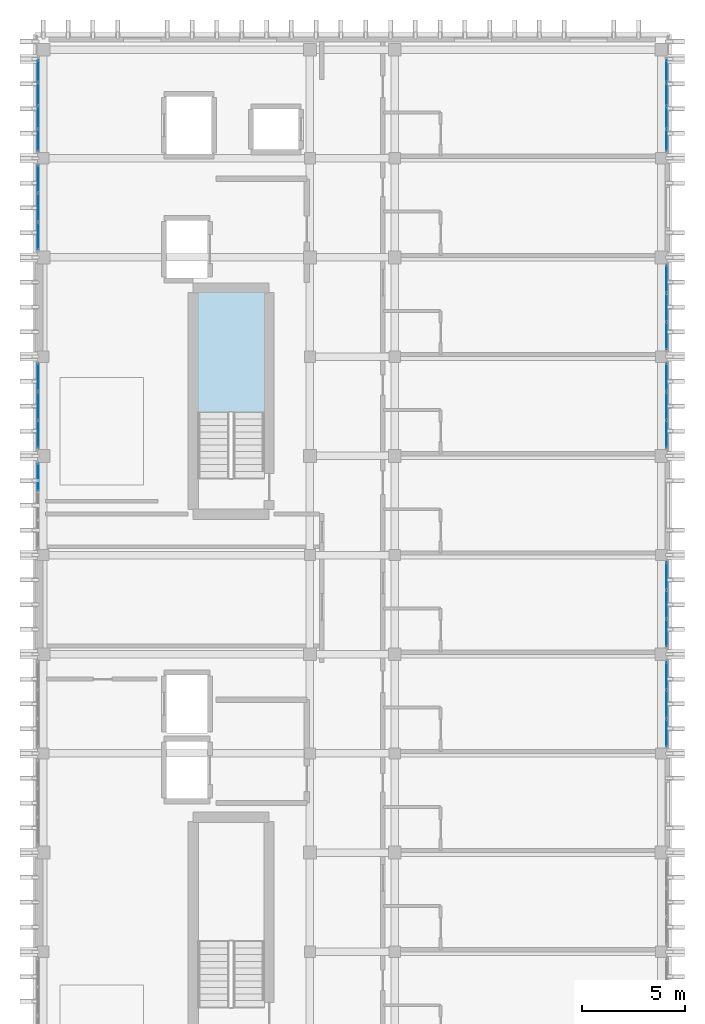
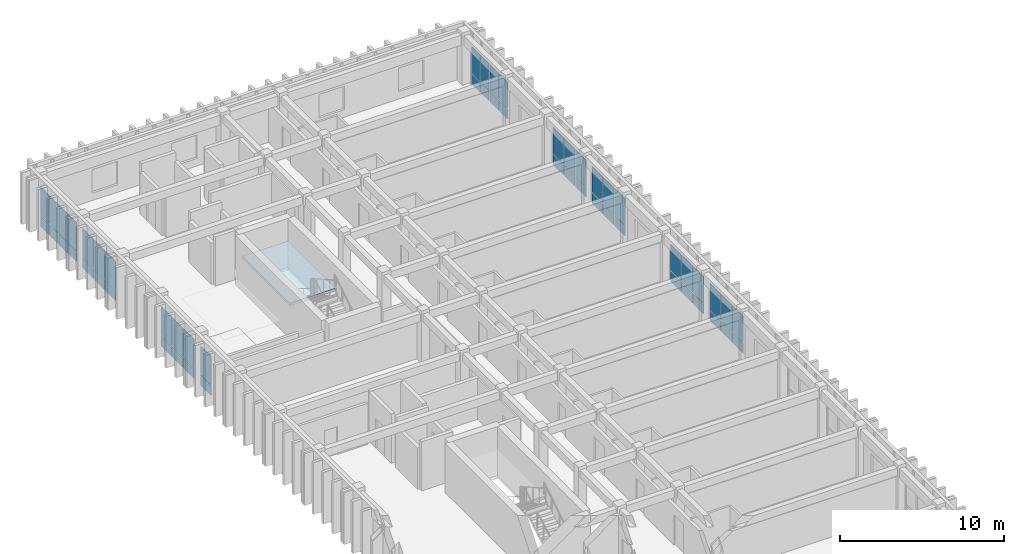
# One storey, part 40 of 50: 54 plates, 1 slab, 10 elements without a shape of their own.
"""IFC4 building model written with IfcOpenShell, lengths in metres."""

from ifc_helpers import new_model, si_unit, direction, frame, origin, origin_2d, place, context, subcontext, project, spatial, polyline, rectangle, outline, extrude, material, layer, layer_set, type_object, element, aggregate, save


model = new_model("IFC4")

# Units and contexts
model_context = context("Model", 3, precision=1e-05, world=origin(), true_north=direction((0.0, 1.0)))
body_context = subcontext(model_context, "Body", "Model", "MODEL_VIEW")
ifc_project = project(units=[si_unit("LENGTHUNIT", "METRE"), si_unit("AREAUNIT", "SQUARE_METRE"), si_unit("VOLUMEUNIT", "CUBIC_METRE"), si_unit("PLANEANGLEUNIT", "RADIAN"), si_unit("MASSUNIT", "GRAM", prefix="KILO")], contexts=[model_context])

# Site, building, storey
site_placement = place(None, origin())
site = spatial("IfcSite", under=ifc_project, at=site_placement, CompositionType="ELEMENT")
building_placement = place(site_placement, origin())
building = spatial("IfcBuilding", under=site, at=building_placement, Name="Nakhvara Creek Congress Hotel", CompositionType="ELEMENT")
storey_placement = place(building_placement, frame((0.0, 0.0, 42.60009765625)))
storey = spatial("IfcBuildingStorey", under=building, at=storey_placement, Name="L10", CompositionType="ELEMENT", Elevation=42.60009765625)

# Curtain wall, plates
ifc_material_1 = material(Name="Bronze-anodised aluminium AW-6063-T6 and double-silver low-E glass", Category="aluminium")
ifc_layer_1 = layer(ifc_material_1, 0.199951171875)
ifc_layer_set_1 = layer_set([ifc_layer_1], Name="Bronze-anodised aluminium AW-6063-T6 and double-silver low-E glass")
curtain_wall_type = type_object("IfcCurtainWallType", Name="CW-HTL-UNIT", PredefinedType="USERDEFINED", material=ifc_layer_set_1)
curtain_wall_1_placement = place(storey_placement, origin())
curtain_wall_1 = element("IfcCurtainWall", 1, at=curtain_wall_1_placement, inside=storey, type_object=curtain_wall_type, Name="Curtain Wall CW322", ObjectType="UNITISED", PredefinedType="USERDEFINED")
ifc_material_2 = material(Name="Double-silver solar-control low-E insulated glass", Category="glass")
plate_type_1 = type_object("IfcPlateType", Name="PNL-GLZ-120X250", PredefinedType="CURTAIN_PANEL", material=ifc_material_2)
plate_1_placement = place(storey_placement, frame((179.60009765625, 94.961181640625, 0.06494140625), z_axis=(0.0, 0.0, 1.0), x_axis=(0.0, -1.0, 0.0)))
plate_1 = element("IfcPlate", 2, at=plate_1_placement, type_object=plate_type_1, Name="CW322 panel 1.1", PredefinedType="CURTAIN_PANEL", context=body_context, shape_type="SweptSolid", body=[
    extrude(rectangle(XDim=1.297607421875, YDim=0.028076171875, at=origin_2d()), origin(), (0.0, 0.0, 1.0), 0.75244140625),
])
plate_2_placement = place(storey_placement, frame((179.60009765625, 94.961181640625, 0.88232421875), z_axis=(0.0, 0.0, 1.0), x_axis=(0.0, -1.0, 0.0)))
plate_2 = element("IfcPlate", 3, at=plate_2_placement, type_object=plate_type_1, Name="CW322 panel 1.2", PredefinedType="CURTAIN_PANEL", context=body_context, shape_type="SweptSolid", body=[
    extrude(rectangle(XDim=1.297607421875, YDim=0.028076171875, at=origin_2d()), origin(), (0.0, 0.0, 1.0), 1.95458984375),
])
plate_3_placement = place(storey_placement, frame((179.60009765625, 93.58251953125, 0.06494140625), z_axis=(0.0, 0.0, 1.0), x_axis=(0.0, -1.0, 0.0)))
plate_3 = element("IfcPlate", 4, at=plate_3_placement, type_object=plate_type_1, Name="CW322 panel 2.1", PredefinedType="CURTAIN_PANEL", context=body_context, shape_type="SweptSolid", body=[
    extrude(rectangle(XDim=1.330078125, YDim=0.028076171875, at=origin_2d()), origin(), (0.0, 0.0, 1.0), 0.75244140625),
])
plate_4_placement = place(storey_placement, frame((179.60009765625, 93.58251953125, 0.88232421875), z_axis=(0.0, 0.0, 1.0), x_axis=(0.0, -1.0, 0.0)))
plate_4 = element("IfcPlate", 5, at=plate_4_placement, type_object=plate_type_1, Name="CW322 panel 2.2", PredefinedType="CURTAIN_PANEL", context=body_context, shape_type="SweptSolid", body=[
    extrude(rectangle(XDim=1.330078125, YDim=0.028076171875, at=origin_2d()), origin(), (0.0, 0.0, 1.0), 1.95458984375),
])
plate_5_placement = place(storey_placement, frame((179.60009765625, 92.203857421875, 0.06494140625), z_axis=(0.0, 0.0, 1.0), x_axis=(0.0, -1.0, 0.0)))
plate_5 = element("IfcPlate", 6, at=plate_5_placement, type_object=plate_type_1, Name="CW322 panel 3.1", PredefinedType="CURTAIN_PANEL", context=body_context, shape_type="SweptSolid", body=[
    extrude(rectangle(XDim=1.297607421875, YDim=0.028076171875, at=origin_2d()), origin(), (0.0, 0.0, 1.0), 0.75244140625),
])
plate_6_placement = place(storey_placement, frame((179.60009765625, 92.203857421875, 0.88232421875), z_axis=(0.0, 0.0, 1.0), x_axis=(0.0, -1.0, 0.0)))
plate_6 = element("IfcPlate", 7, at=plate_6_placement, type_object=plate_type_1, Name="CW322 panel 3.2", PredefinedType="CURTAIN_PANEL", context=body_context, shape_type="SweptSolid", body=[
    extrude(rectangle(XDim=1.297607421875, YDim=0.028076171875, at=origin_2d()), origin(), (0.0, 0.0, 1.0), 1.95458984375),
])
aggregate(curtain_wall_1, [plate_1, plate_2, plate_3, plate_4, plate_5, plate_6])

curtain_wall_2_placement = place(storey_placement, origin())
curtain_wall_2 = element("IfcCurtainWall", 8, at=curtain_wall_2_placement, inside=storey, type_object=curtain_wall_type, Name="Curtain Wall CW324", ObjectType="UNITISED", PredefinedType="USERDEFINED")
plate_7_placement = place(storey_placement, frame((179.60009765625, 99.796142578125, 0.06494140625), z_axis=(0.0, 0.0, 1.0), x_axis=(0.0, -1.0, 0.0)))
plate_7 = element("IfcPlate", 9, at=plate_7_placement, type_object=plate_type_1, Name="CW324 panel 1.1", PredefinedType="CURTAIN_PANEL", context=body_context, shape_type="SweptSolid", body=[
    extrude(rectangle(XDim=1.297607421875, YDim=0.028076171875, at=origin_2d()), origin(), (0.0, 0.0, 1.0), 0.75244140625),
])
plate_8_placement = place(storey_placement, frame((179.60009765625, 99.796142578125, 0.88232421875), z_axis=(0.0, 0.0, 1.0), x_axis=(0.0, -1.0, 0.0)))
plate_8 = element("IfcPlate", 10, at=plate_8_placement, type_object=plate_type_1, Name="CW324 panel 1.2", PredefinedType="CURTAIN_PANEL", context=body_context, shape_type="SweptSolid", body=[
    extrude(rectangle(XDim=1.297607421875, YDim=0.028076171875, at=origin_2d()), origin(), (0.0, 0.0, 1.0), 1.95458984375),
])
plate_9_placement = place(storey_placement, frame((179.60009765625, 98.41748046875, 0.06494140625), z_axis=(0.0, 0.0, 1.0), x_axis=(0.0, -1.0, 0.0)))
plate_9 = element("IfcPlate", 11, at=plate_9_placement, type_object=plate_type_1, Name="CW324 panel 2.1", PredefinedType="CURTAIN_PANEL", context=body_context, shape_type="SweptSolid", body=[
    extrude(rectangle(XDim=1.330078125, YDim=0.028076171875, at=origin_2d()), origin(), (0.0, 0.0, 1.0), 0.75244140625),
])
plate_10_placement = place(storey_placement, frame((179.60009765625, 98.41748046875, 0.88232421875), z_axis=(0.0, 0.0, 1.0), x_axis=(0.0, -1.0, 0.0)))
plate_10 = element("IfcPlate", 12, at=plate_10_placement, type_object=plate_type_1, Name="CW324 panel 2.2", PredefinedType="CURTAIN_PANEL", context=body_context, shape_type="SweptSolid", body=[
    extrude(rectangle(XDim=1.330078125, YDim=0.028076171875, at=origin_2d()), origin(), (0.0, 0.0, 1.0), 1.95458984375),
])
plate_11_placement = place(storey_placement, frame((179.60009765625, 97.038818359375, 0.06494140625), z_axis=(0.0, 0.0, 1.0), x_axis=(0.0, -1.0, 0.0)))
plate_11 = element("IfcPlate", 13, at=plate_11_placement, type_object=plate_type_1, Name="CW324 panel 3.1", PredefinedType="CURTAIN_PANEL", context=body_context, shape_type="SweptSolid", body=[
    extrude(rectangle(XDim=1.297607421875, YDim=0.028076171875, at=origin_2d()), origin(), (0.0, 0.0, 1.0), 0.75244140625),
])
plate_12_placement = place(storey_placement, frame((179.60009765625, 97.038818359375, 0.88232421875), z_axis=(0.0, 0.0, 1.0), x_axis=(0.0, -1.0, 0.0)))
plate_12 = element("IfcPlate", 14, at=plate_12_placement, type_object=plate_type_1, Name="CW324 panel 3.2", PredefinedType="CURTAIN_PANEL", context=body_context, shape_type="SweptSolid", body=[
    extrude(rectangle(XDim=1.297607421875, YDim=0.028076171875, at=origin_2d()), origin(), (0.0, 0.0, 1.0), 1.95458984375),
])
aggregate(curtain_wall_2, [plate_7, plate_8, plate_9, plate_10, plate_11, plate_12])

curtain_wall_3_placement = place(storey_placement, origin())
curtain_wall_3 = element("IfcCurtainWall", 15, at=curtain_wall_3_placement, inside=storey, type_object=curtain_wall_type, Name="Curtain Wall CW326", ObjectType="UNITISED", PredefinedType="USERDEFINED")
plate_13_placement = place(storey_placement, frame((179.60009765625, 109.396240234375, 0.06494140625), z_axis=(0.0, 0.0, 1.0), x_axis=(0.0, -1.0, 0.0)))
plate_13 = element("IfcPlate", 16, at=plate_13_placement, type_object=plate_type_1, Name="CW326 panel 1.1", PredefinedType="CURTAIN_PANEL", context=body_context, shape_type="SweptSolid", body=[
    extrude(rectangle(XDim=1.297607421875, YDim=0.028076171875, at=origin_2d()), origin(), (0.0, 0.0, 1.0), 0.75244140625),
])
plate_14_placement = place(storey_placement, frame((179.60009765625, 109.396240234375, 0.88232421875), z_axis=(0.0, 0.0, 1.0), x_axis=(0.0, -1.0, 0.0)))
plate_14 = element("IfcPlate", 17, at=plate_14_placement, type_object=plate_type_1, Name="CW326 panel 1.2", PredefinedType="CURTAIN_PANEL", context=body_context, shape_type="SweptSolid", body=[
    extrude(rectangle(XDim=1.297607421875, YDim=0.028076171875, at=origin_2d()), origin(), (0.0, 0.0, 1.0), 1.95458984375),
])
plate_15_placement = place(storey_placement, frame((179.60009765625, 108.017578125, 0.06494140625), z_axis=(0.0, 0.0, 1.0), x_axis=(0.0, -1.0, 0.0)))
plate_15 = element("IfcPlate", 18, at=plate_15_placement, type_object=plate_type_1, Name="CW326 panel 2.1", PredefinedType="CURTAIN_PANEL", context=body_context, shape_type="SweptSolid", body=[
    extrude(rectangle(XDim=1.330078125, YDim=0.028076171875, at=origin_2d()), origin(), (0.0, 0.0, 1.0), 0.75244140625),
])
plate_16_placement = place(storey_placement, frame((179.60009765625, 108.017578125, 0.88232421875), z_axis=(0.0, 0.0, 1.0), x_axis=(0.0, -1.0, 0.0)))
plate_16 = element("IfcPlate", 19, at=plate_16_placement, type_object=plate_type_1, Name="CW326 panel 2.2", PredefinedType="CURTAIN_PANEL", context=body_context, shape_type="SweptSolid", body=[
    extrude(rectangle(XDim=1.330078125, YDim=0.028076171875, at=origin_2d()), origin(), (0.0, 0.0, 1.0), 1.95458984375),
])
plate_17_placement = place(storey_placement, frame((179.60009765625, 106.638671875, 0.06494140625), z_axis=(0.0, 0.0, 1.0), x_axis=(0.0, -1.0, 0.0)))
plate_17 = element("IfcPlate", 20, at=plate_17_placement, type_object=plate_type_1, Name="CW326 panel 3.1", PredefinedType="CURTAIN_PANEL", context=body_context, shape_type="SweptSolid", body=[
    extrude(rectangle(XDim=1.297607421875, YDim=0.028076171875, at=origin_2d()), origin(), (0.0, 0.0, 1.0), 0.75244140625),
])
plate_18_placement = place(storey_placement, frame((179.60009765625, 106.638671875, 0.88232421875), z_axis=(0.0, 0.0, 1.0), x_axis=(0.0, -1.0, 0.0)))
plate_18 = element("IfcPlate", 21, at=plate_18_placement, type_object=plate_type_1, Name="CW326 panel 3.2", PredefinedType="CURTAIN_PANEL", context=body_context, shape_type="SweptSolid", body=[
    extrude(rectangle(XDim=1.297607421875, YDim=0.028076171875, at=origin_2d()), origin(), (0.0, 0.0, 1.0), 1.95458984375),
])
aggregate(curtain_wall_3, [plate_13, plate_14, plate_15, plate_16, plate_17, plate_18])

curtain_wall_4_placement = place(storey_placement, origin())
curtain_wall_4 = element("IfcCurtainWall", 22, at=curtain_wall_4_placement, inside=storey, type_object=curtain_wall_type, Name="Curtain Wall CW327", ObjectType="UNITISED", PredefinedType="USERDEFINED")
plate_19_placement = place(storey_placement, frame((149.199951171875, 106.638671875, 0.06494140625), z_axis=(0.0, 0.0, 1.0), x_axis=(0.0, 1.0, 0.0)))
plate_19 = element("IfcPlate", 23, at=plate_19_placement, type_object=plate_type_1, Name="CW327 panel 1.1", PredefinedType="CURTAIN_PANEL", context=body_context, shape_type="SweptSolid", body=[
    extrude(rectangle(XDim=1.297607421875, YDim=0.028076171875, at=origin_2d()), origin(), (0.0, 0.0, 1.0), 0.75244140625),
])
plate_20_placement = place(storey_placement, frame((149.199951171875, 106.638671875, 0.88232421875), z_axis=(0.0, 0.0, 1.0), x_axis=(0.0, 1.0, 0.0)))
plate_20 = element("IfcPlate", 24, at=plate_20_placement, type_object=plate_type_1, Name="CW327 panel 1.2", PredefinedType="CURTAIN_PANEL", context=body_context, shape_type="SweptSolid", body=[
    extrude(rectangle(XDim=1.297607421875, YDim=0.028076171875, at=origin_2d()), origin(), (0.0, 0.0, 1.0), 2.12451171875),
])
plate_21_placement = place(storey_placement, frame((149.199951171875, 108.017578125, 0.06494140625), z_axis=(0.0, 0.0, 1.0), x_axis=(0.0, 1.0, 0.0)))
plate_21 = element("IfcPlate", 25, at=plate_21_placement, type_object=plate_type_1, Name="CW327 panel 2.1", PredefinedType="CURTAIN_PANEL", context=body_context, shape_type="SweptSolid", body=[
    extrude(rectangle(XDim=1.330078125, YDim=0.028076171875, at=origin_2d()), origin(), (0.0, 0.0, 1.0), 0.75244140625),
])
plate_22_placement = place(storey_placement, frame((149.199951171875, 108.017578125, 0.88232421875), z_axis=(0.0, 0.0, 1.0), x_axis=(0.0, 1.0, 0.0)))
plate_22 = element("IfcPlate", 26, at=plate_22_placement, type_object=plate_type_1, Name="CW327 panel 2.2", PredefinedType="CURTAIN_PANEL", context=body_context, shape_type="SweptSolid", body=[
    extrude(rectangle(XDim=1.330078125, YDim=0.028076171875, at=origin_2d()), origin(), (0.0, 0.0, 1.0), 2.12451171875),
])
plate_23_placement = place(storey_placement, frame((149.199951171875, 109.396240234375, 0.06494140625), z_axis=(0.0, 0.0, 1.0), x_axis=(0.0, 1.0, 0.0)))
plate_23 = element("IfcPlate", 27, at=plate_23_placement, type_object=plate_type_1, Name="CW327 panel 3.1", PredefinedType="CURTAIN_PANEL", context=body_context, shape_type="SweptSolid", body=[
    extrude(rectangle(XDim=1.297607421875, YDim=0.028076171875, at=origin_2d()), origin(), (0.0, 0.0, 1.0), 0.75244140625),
])
plate_24_placement = place(storey_placement, frame((149.199951171875, 109.396240234375, 0.88232421875), z_axis=(0.0, 0.0, 1.0), x_axis=(0.0, 1.0, 0.0)))
plate_24 = element("IfcPlate", 28, at=plate_24_placement, type_object=plate_type_1, Name="CW327 panel 3.2", PredefinedType="CURTAIN_PANEL", context=body_context, shape_type="SweptSolid", body=[
    extrude(rectangle(XDim=1.297607421875, YDim=0.028076171875, at=origin_2d()), origin(), (0.0, 0.0, 1.0), 2.12451171875),
])
aggregate(curtain_wall_4, [plate_19, plate_20, plate_21, plate_22, plate_23, plate_24])

curtain_wall_5_placement = place(storey_placement, origin())
curtain_wall_5 = element("IfcCurtainWall", 29, at=curtain_wall_5_placement, inside=storey, type_object=curtain_wall_type, Name="Curtain Wall CW328", ObjectType="UNITISED", PredefinedType="USERDEFINED")
plate_25_placement = place(storey_placement, frame((179.60009765625, 114.1611328125, 0.06494140625), z_axis=(0.0, 0.0, 1.0), x_axis=(0.0, -1.0, 0.0)))
plate_25 = element("IfcPlate", 30, at=plate_25_placement, type_object=plate_type_1, Name="CW328 panel 1.1", PredefinedType="CURTAIN_PANEL", context=body_context, shape_type="SweptSolid", body=[
    extrude(rectangle(XDim=1.297607421875, YDim=0.028076171875, at=origin_2d()), origin(), (0.0, 0.0, 1.0), 0.75244140625),
])
plate_26_placement = place(storey_placement, frame((179.60009765625, 114.1611328125, 0.88232421875), z_axis=(0.0, 0.0, 1.0), x_axis=(0.0, -1.0, 0.0)))
plate_26 = element("IfcPlate", 31, at=plate_26_placement, type_object=plate_type_1, Name="CW328 panel 1.2", PredefinedType="CURTAIN_PANEL", context=body_context, shape_type="SweptSolid", body=[
    extrude(rectangle(XDim=1.297607421875, YDim=0.028076171875, at=origin_2d()), origin(), (0.0, 0.0, 1.0), 1.95458984375),
])
plate_27_placement = place(storey_placement, frame((179.60009765625, 112.782470703125, 0.06494140625), z_axis=(0.0, 0.0, 1.0), x_axis=(0.0, -1.0, 0.0)))
plate_27 = element("IfcPlate", 32, at=plate_27_placement, type_object=plate_type_1, Name="CW328 panel 2.1", PredefinedType="CURTAIN_PANEL", context=body_context, shape_type="SweptSolid", body=[
    extrude(rectangle(XDim=1.330078125, YDim=0.028076171875, at=origin_2d()), origin(), (0.0, 0.0, 1.0), 0.75244140625),
])
plate_28_placement = place(storey_placement, frame((179.60009765625, 112.782470703125, 0.88232421875), z_axis=(0.0, 0.0, 1.0), x_axis=(0.0, -1.0, 0.0)))
plate_28 = element("IfcPlate", 33, at=plate_28_placement, type_object=plate_type_1, Name="CW328 panel 2.2", PredefinedType="CURTAIN_PANEL", context=body_context, shape_type="SweptSolid", body=[
    extrude(rectangle(XDim=1.330078125, YDim=0.028076171875, at=origin_2d()), origin(), (0.0, 0.0, 1.0), 1.95458984375),
])
plate_29_placement = place(storey_placement, frame((179.60009765625, 111.40380859375, 0.06494140625), z_axis=(0.0, 0.0, 1.0), x_axis=(0.0, -1.0, 0.0)))
plate_29 = element("IfcPlate", 34, at=plate_29_placement, type_object=plate_type_1, Name="CW328 panel 3.1", PredefinedType="CURTAIN_PANEL", context=body_context, shape_type="SweptSolid", body=[
    extrude(rectangle(XDim=1.297607421875, YDim=0.028076171875, at=origin_2d()), origin(), (0.0, 0.0, 1.0), 0.75244140625),
])
plate_30_placement = place(storey_placement, frame((179.60009765625, 111.40380859375, 0.88232421875), z_axis=(0.0, 0.0, 1.0), x_axis=(0.0, -1.0, 0.0)))
plate_30 = element("IfcPlate", 35, at=plate_30_placement, type_object=plate_type_1, Name="CW328 panel 3.2", PredefinedType="CURTAIN_PANEL", context=body_context, shape_type="SweptSolid", body=[
    extrude(rectangle(XDim=1.297607421875, YDim=0.028076171875, at=origin_2d()), origin(), (0.0, 0.0, 1.0), 1.95458984375),
])
aggregate(curtain_wall_5, [plate_25, plate_26, plate_27, plate_28, plate_29, plate_30])

curtain_wall_6_placement = place(storey_placement, origin())
curtain_wall_6 = element("IfcCurtainWall", 36, at=curtain_wall_6_placement, inside=storey, type_object=curtain_wall_type, Name="Curtain Wall CW329", ObjectType="UNITISED", PredefinedType="USERDEFINED")
plate_31_placement = place(storey_placement, frame((149.199951171875, 116.23876953125, 0.06494140625), z_axis=(0.0, 0.0, 1.0), x_axis=(0.0, 1.0, 0.0)))
plate_31 = element("IfcPlate", 37, at=plate_31_placement, type_object=plate_type_1, Name="CW329 panel 1.1", PredefinedType="CURTAIN_PANEL", context=body_context, shape_type="SweptSolid", body=[
    extrude(rectangle(XDim=1.297607421875, YDim=0.028076171875, at=origin_2d()), origin(), (0.0, 0.0, 1.0), 0.75244140625),
])
plate_32_placement = place(storey_placement, frame((149.199951171875, 116.23876953125, 0.88232421875), z_axis=(0.0, 0.0, 1.0), x_axis=(0.0, 1.0, 0.0)))
plate_32 = element("IfcPlate", 38, at=plate_32_placement, type_object=plate_type_1, Name="CW329 panel 1.2", PredefinedType="CURTAIN_PANEL", context=body_context, shape_type="SweptSolid", body=[
    extrude(rectangle(XDim=1.297607421875, YDim=0.028076171875, at=origin_2d()), origin(), (0.0, 0.0, 1.0), 2.12451171875),
])
plate_33_placement = place(storey_placement, frame((149.199951171875, 117.617431640625, 0.06494140625), z_axis=(0.0, 0.0, 1.0), x_axis=(0.0, 1.0, 0.0)))
plate_33 = element("IfcPlate", 39, at=plate_33_placement, type_object=plate_type_1, Name="CW329 panel 2.1", PredefinedType="CURTAIN_PANEL", context=body_context, shape_type="SweptSolid", body=[
    extrude(rectangle(XDim=1.330078125, YDim=0.028076171875, at=origin_2d()), origin(), (0.0, 0.0, 1.0), 0.75244140625),
])
plate_34_placement = place(storey_placement, frame((149.199951171875, 117.617431640625, 0.88232421875), z_axis=(0.0, 0.0, 1.0), x_axis=(0.0, 1.0, 0.0)))
plate_34 = element("IfcPlate", 40, at=plate_34_placement, type_object=plate_type_1, Name="CW329 panel 2.2", PredefinedType="CURTAIN_PANEL", context=body_context, shape_type="SweptSolid", body=[
    extrude(rectangle(XDim=1.330078125, YDim=0.028076171875, at=origin_2d()), origin(), (0.0, 0.0, 1.0), 2.12451171875),
])
plate_35_placement = place(storey_placement, frame((149.199951171875, 118.996337890625, 0.06494140625), z_axis=(0.0, 0.0, 1.0), x_axis=(0.0, 1.0, 0.0)))
plate_35 = element("IfcPlate", 41, at=plate_35_placement, type_object=plate_type_1, Name="CW329 panel 3.1", PredefinedType="CURTAIN_PANEL", context=body_context, shape_type="SweptSolid", body=[
    extrude(rectangle(XDim=1.297607421875, YDim=0.028076171875, at=origin_2d()), origin(), (0.0, 0.0, 1.0), 0.75244140625),
])
plate_36_placement = place(storey_placement, frame((149.199951171875, 118.996337890625, 0.88232421875), z_axis=(0.0, 0.0, 1.0), x_axis=(0.0, 1.0, 0.0)))
plate_36 = element("IfcPlate", 42, at=plate_36_placement, type_object=plate_type_1, Name="CW329 panel 3.2", PredefinedType="CURTAIN_PANEL", context=body_context, shape_type="SweptSolid", body=[
    extrude(rectangle(XDim=1.297607421875, YDim=0.028076171875, at=origin_2d()), origin(), (0.0, 0.0, 1.0), 2.12451171875),
])
aggregate(curtain_wall_6, [plate_31, plate_32, plate_33, plate_34, plate_35, plate_36])

curtain_wall_7_placement = place(storey_placement, origin())
curtain_wall_7 = element("IfcCurtainWall", 43, at=curtain_wall_7_placement, inside=storey, type_object=curtain_wall_type, Name="Curtain Wall CW330", ObjectType="UNITISED", PredefinedType="USERDEFINED")
plate_37_placement = place(storey_placement, frame((179.60009765625, 124.219970703125, 0.06494140625), z_axis=(0.0, 0.0, 1.0), x_axis=(0.0, -1.0, 0.0)))
plate_37 = element("IfcPlate", 44, at=plate_37_placement, type_object=plate_type_1, Name="CW330 panel 1.1", PredefinedType="CURTAIN_PANEL", context=body_context, shape_type="SweptSolid", body=[
    extrude(rectangle(XDim=1.030029296875, YDim=0.028076171875, at=origin_2d()), origin(), (0.0, 0.0, 1.0), 0.75244140625),
])
plate_38_placement = place(storey_placement, frame((179.60009765625, 124.219970703125, 0.88232421875), z_axis=(0.0, 0.0, 1.0), x_axis=(0.0, -1.0, 0.0)))
plate_38 = element("IfcPlate", 45, at=plate_38_placement, type_object=plate_type_1, Name="CW330 panel 1.2", PredefinedType="CURTAIN_PANEL", context=body_context, shape_type="SweptSolid", body=[
    extrude(rectangle(XDim=1.030029296875, YDim=0.028076171875, at=origin_2d()), origin(), (0.0, 0.0, 1.0), 1.95458984375),
])
plate_39_placement = place(storey_placement, frame((179.60009765625, 123.108642578125, 0.06494140625), z_axis=(0.0, 0.0, 1.0), x_axis=(0.0, -1.0, 0.0)))
plate_39 = element("IfcPlate", 46, at=plate_39_placement, type_object=plate_type_1, Name="CW330 panel 2.1", PredefinedType="CURTAIN_PANEL", context=body_context, shape_type="SweptSolid", body=[
    extrude(rectangle(XDim=1.0625, YDim=0.028076171875, at=origin_2d()), origin(), (0.0, 0.0, 1.0), 0.75244140625),
])
plate_40_placement = place(storey_placement, frame((179.60009765625, 123.108642578125, 0.88232421875), z_axis=(0.0, 0.0, 1.0), x_axis=(0.0, -1.0, 0.0)))
plate_40 = element("IfcPlate", 47, at=plate_40_placement, type_object=plate_type_1, Name="CW330 panel 2.2", PredefinedType="CURTAIN_PANEL", context=body_context, shape_type="SweptSolid", body=[
    extrude(rectangle(XDim=1.0625, YDim=0.028076171875, at=origin_2d()), origin(), (0.0, 0.0, 1.0), 1.95458984375),
])
plate_41_placement = place(storey_placement, frame((179.60009765625, 121.981201171875, 0.06494140625), z_axis=(0.0, 0.0, 1.0), x_axis=(0.0, -1.0, 0.0)))
plate_41 = element("IfcPlate", 48, at=plate_41_placement, type_object=plate_type_1, Name="CW330 panel 3.1", PredefinedType="CURTAIN_PANEL", context=body_context, shape_type="SweptSolid", body=[
    extrude(rectangle(XDim=1.0625, YDim=0.028076171875, at=origin_2d()), origin(), (0.0, 0.0, 1.0), 0.75244140625),
])
plate_42_placement = place(storey_placement, frame((179.60009765625, 121.981201171875, 0.88232421875), z_axis=(0.0, 0.0, 1.0), x_axis=(0.0, -1.0, 0.0)))
plate_42 = element("IfcPlate", 49, at=plate_42_placement, type_object=plate_type_1, Name="CW330 panel 3.2", PredefinedType="CURTAIN_PANEL", context=body_context, shape_type="SweptSolid", body=[
    extrude(rectangle(XDim=1.0625, YDim=0.028076171875, at=origin_2d()), origin(), (0.0, 0.0, 1.0), 1.95458984375),
])
plate_43_placement = place(storey_placement, frame((179.60009765625, 120.8701171875, 0.06494140625), z_axis=(0.0, 0.0, 1.0), x_axis=(0.0, -1.0, 0.0)))
plate_43 = element("IfcPlate", 50, at=plate_43_placement, type_object=plate_type_1, Name="CW330 panel 4.1", PredefinedType="CURTAIN_PANEL", context=body_context, shape_type="SweptSolid", body=[
    extrude(rectangle(XDim=1.030029296875, YDim=0.028076171875, at=origin_2d()), origin(), (0.0, 0.0, 1.0), 0.75244140625),
])
plate_44_placement = place(storey_placement, frame((179.60009765625, 120.8701171875, 0.88232421875), z_axis=(0.0, 0.0, 1.0), x_axis=(0.0, -1.0, 0.0)))
plate_44 = element("IfcPlate", 51, at=plate_44_placement, type_object=plate_type_1, Name="CW330 panel 4.2", PredefinedType="CURTAIN_PANEL", context=body_context, shape_type="SweptSolid", body=[
    extrude(rectangle(XDim=1.030029296875, YDim=0.028076171875, at=origin_2d()), origin(), (0.0, 0.0, 1.0), 1.95458984375),
])
aggregate(curtain_wall_7, [plate_37, plate_38, plate_39, plate_40, plate_41, plate_42, plate_43, plate_44])

curtain_wall_8_placement = place(storey_placement, origin())
curtain_wall_8 = element("IfcCurtainWall", 52, at=curtain_wall_8_placement, inside=storey, type_object=curtain_wall_type, Name="Curtain Wall CW331", ObjectType="UNITISED", PredefinedType="USERDEFINED")
plate_45_placement = place(storey_placement, frame((149.199951171875, 120.8701171875, 0.06494140625), z_axis=(0.0, 0.0, 1.0), x_axis=(0.0, 1.0, 0.0)))
plate_45 = element("IfcPlate", 53, at=plate_45_placement, type_object=plate_type_1, Name="CW331 panel 1.1", PredefinedType="CURTAIN_PANEL", context=body_context, shape_type="SweptSolid", body=[
    extrude(rectangle(XDim=1.030029296875, YDim=0.028076171875, at=origin_2d()), origin(), (0.0, 0.0, 1.0), 0.75244140625),
])
plate_46_placement = place(storey_placement, frame((149.199951171875, 120.8701171875, 0.88232421875), z_axis=(0.0, 0.0, 1.0), x_axis=(0.0, 1.0, 0.0)))
plate_46 = element("IfcPlate", 54, at=plate_46_placement, type_object=plate_type_1, Name="CW331 panel 1.2", PredefinedType="CURTAIN_PANEL", context=body_context, shape_type="SweptSolid", body=[
    extrude(rectangle(XDim=1.030029296875, YDim=0.028076171875, at=origin_2d()), origin(), (0.0, 0.0, 1.0), 2.12451171875),
])
plate_47_placement = place(storey_placement, frame((149.199951171875, 121.981201171875, 0.06494140625), z_axis=(0.0, 0.0, 1.0), x_axis=(0.0, 1.0, 0.0)))
plate_47 = element("IfcPlate", 55, at=plate_47_placement, type_object=plate_type_1, Name="CW331 panel 2.1", PredefinedType="CURTAIN_PANEL", context=body_context, shape_type="SweptSolid", body=[
    extrude(rectangle(XDim=1.0625, YDim=0.028076171875, at=origin_2d()), origin(), (0.0, 0.0, 1.0), 0.75244140625),
])
plate_48_placement = place(storey_placement, frame((149.199951171875, 121.981201171875, 0.88232421875), z_axis=(0.0, 0.0, 1.0), x_axis=(0.0, 1.0, 0.0)))
plate_48 = element("IfcPlate", 56, at=plate_48_placement, type_object=plate_type_1, Name="CW331 panel 2.2", PredefinedType="CURTAIN_PANEL", context=body_context, shape_type="SweptSolid", body=[
    extrude(rectangle(XDim=1.0625, YDim=0.028076171875, at=origin_2d()), origin(), (0.0, 0.0, 1.0), 2.12451171875),
])
plate_49_placement = place(storey_placement, frame((149.199951171875, 123.108642578125, 0.06494140625), z_axis=(0.0, 0.0, 1.0), x_axis=(0.0, 1.0, 0.0)))
plate_49 = element("IfcPlate", 57, at=plate_49_placement, type_object=plate_type_1, Name="CW331 panel 3.1", PredefinedType="CURTAIN_PANEL", context=body_context, shape_type="SweptSolid", body=[
    extrude(rectangle(XDim=1.0625, YDim=0.028076171875, at=origin_2d()), origin(), (0.0, 0.0, 1.0), 0.75244140625),
])
plate_50_placement = place(storey_placement, frame((149.199951171875, 123.108642578125, 0.88232421875), z_axis=(0.0, 0.0, 1.0), x_axis=(0.0, 1.0, 0.0)))
plate_50 = element("IfcPlate", 58, at=plate_50_placement, type_object=plate_type_1, Name="CW331 panel 3.2", PredefinedType="CURTAIN_PANEL", context=body_context, shape_type="SweptSolid", body=[
    extrude(rectangle(XDim=1.0625, YDim=0.028076171875, at=origin_2d()), origin(), (0.0, 0.0, 1.0), 2.12451171875),
])
plate_51_placement = place(storey_placement, frame((149.199951171875, 124.219970703125, 0.06494140625), z_axis=(0.0, 0.0, 1.0), x_axis=(0.0, 1.0, 0.0)))
plate_51 = element("IfcPlate", 59, at=plate_51_placement, type_object=plate_type_1, Name="CW331 panel 4.1", PredefinedType="CURTAIN_PANEL", context=body_context, shape_type="SweptSolid", body=[
    extrude(rectangle(XDim=1.030029296875, YDim=0.028076171875, at=origin_2d()), origin(), (0.0, 0.0, 1.0), 0.75244140625),
])
plate_52_placement = place(storey_placement, frame((149.199951171875, 124.219970703125, 0.88232421875), z_axis=(0.0, 0.0, 1.0), x_axis=(0.0, 1.0, 0.0)))
plate_52 = element("IfcPlate", 60, at=plate_52_placement, type_object=plate_type_1, Name="CW331 panel 4.2", PredefinedType="CURTAIN_PANEL", context=body_context, shape_type="SweptSolid", body=[
    extrude(rectangle(XDim=1.030029296875, YDim=0.028076171875, at=origin_2d()), origin(), (0.0, 0.0, 1.0), 2.12451171875),
])
aggregate(curtain_wall_8, [plate_45, plate_46, plate_47, plate_48, plate_49, plate_50, plate_51, plate_52])

curtain_wall_9_placement = place(storey_placement, origin())
curtain_wall_9 = element("IfcCurtainWall", 61, at=curtain_wall_9_placement, inside=storey, type_object=curtain_wall_type, Name="Curtain Wall CW325", ObjectType="UNITISED", PredefinedType="USERDEFINED")
ifc_material_3 = material(Name="Back-insulated bronze spandrel glass panel", Category="glass")
plate_type_2 = type_object("IfcPlateType", Name="PNL-SPN-120X080", PredefinedType="CURTAIN_PANEL", material=ifc_material_3)
plate_53_placement = place(storey_placement, frame((149.199951171875, 104.561279296875, 0.06494140625), z_axis=(0.0, 0.0, 1.0), x_axis=(0.0, 1.0, 0.0)))
plate_53 = element("IfcPlate", 62, at=plate_53_placement, type_object=plate_type_2, Name="CW325 panel 3.1", PredefinedType="CURTAIN_PANEL", context=body_context, shape_type="SweptSolid", body=[
    extrude(rectangle(XDim=1.297607421875, YDim=0.0419921875, at=origin_2d()), origin(), (0.0, 0.0, 1.0), 0.75244140625),
])
plate_54_placement = place(storey_placement, frame((149.199951171875, 104.561279296875, 0.88232421875), z_axis=(0.0, 0.0, 1.0), x_axis=(0.0, 1.0, 0.0)))
plate_54 = element("IfcPlate", 63, at=plate_54_placement, type_object=plate_type_2, Name="CW325 panel 3.2", PredefinedType="CURTAIN_PANEL", context=body_context, shape_type="SweptSolid", body=[
    extrude(rectangle(XDim=1.297607421875, YDim=0.0419921875, at=origin_2d()), origin(), (0.0, 0.0, 1.0), 2.12451171875),
])
aggregate(curtain_wall_9, [plate_53, plate_54])

# Stair, slab
ifc_material_4 = material(Name="Concrete C40/50", Category="concrete")
stair_type = type_object("IfcStairType", Name="ST-CORE-160", PredefinedType="HALF_TURN_STAIR", material=ifc_material_4)
stair_placement = place(storey_placement, origin())
stair = element("IfcStair", 64, at=stair_placement, inside=storey, type_object=stair_type, Name="L10 Protected Exit Stair ST02", PredefinedType="HALF_TURN_STAIR")
ifc_layer_2 = layer(ifc_material_4, 0.199951171875)
ifc_layer_set_2 = layer_set([ifc_layer_2], Name="Concrete C40/50")
slab_type = type_object("IfcSlabType", Name="SL-LAND-200", PredefinedType="LANDING", material=ifc_layer_set_2)
slab_placement = place(storey_placement, frame((0.0, 0.0, 1.75)))
slab = element("IfcSlab", 65, at=slab_placement, type_object=slab_type, Name="ST02 landing 1", PredefinedType="LANDING", context=body_context, shape_type="SweptSolid", body=[
    extrude(outline(polyline([(160.14990234375, 107.68994140625), (160.14990234375, 113.5), (156.919921875, 113.5), (156.919921875, 107.68994140625), (160.14990234375, 107.68994140625)])), origin(), (0.0, 0.0, 1.0), 0.199951171875),
])
aggregate(stair, [slab])

save(model, "model.ifc")
